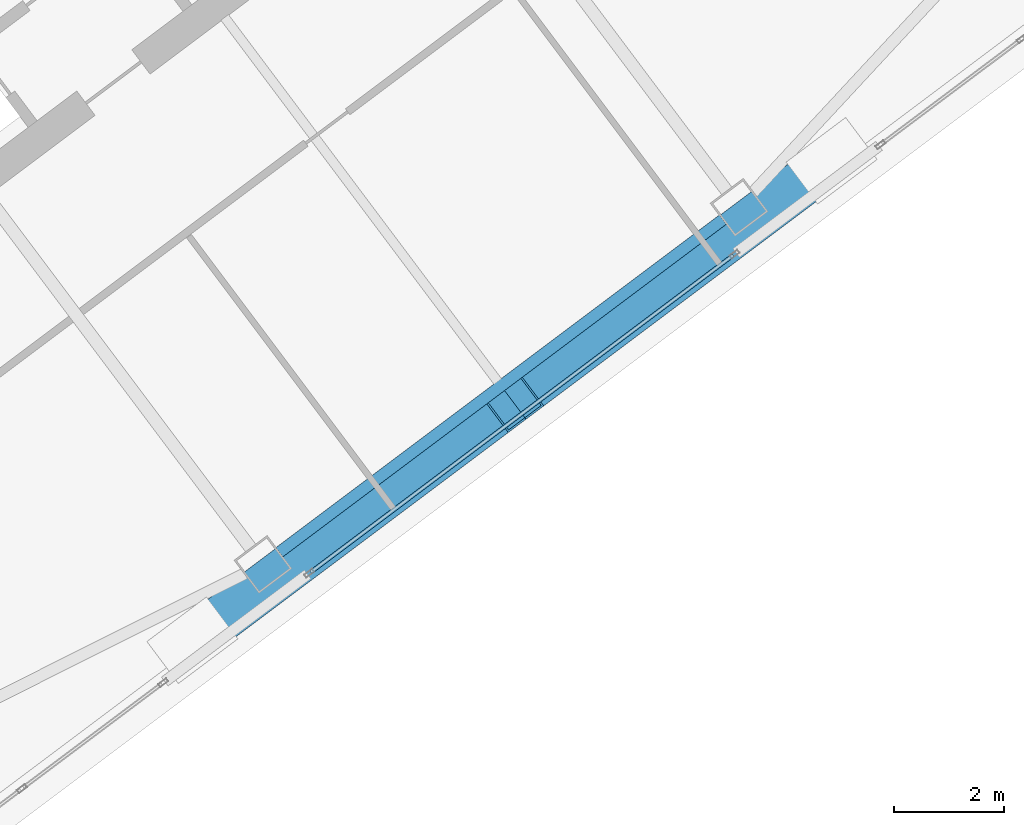
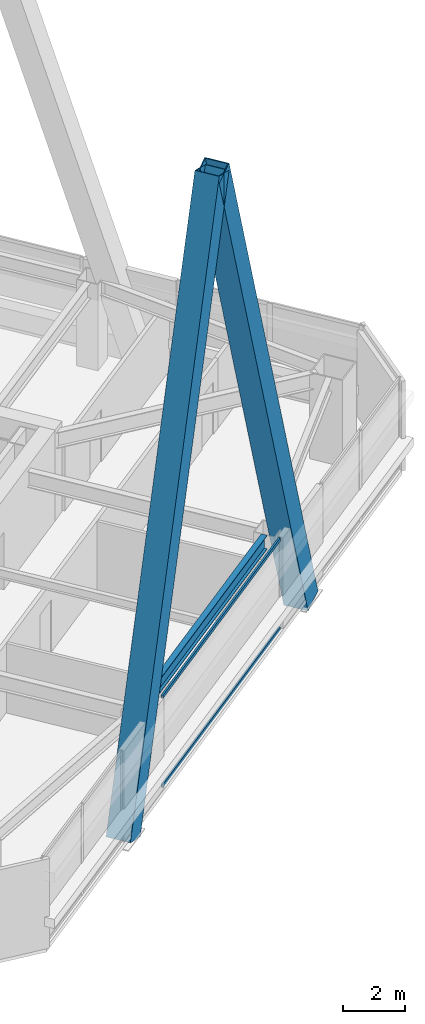
# One storey, part 32 of 55: 4 members, 1 beam, 1 element without a shape of its own.
"""IFC4 building model written with IfcOpenShell, lengths in metres."""

from ifc_helpers import new_model, si_unit, direction, frame, origin, origin_2d, place, context, subcontext, project, spatial, hollow_rectangle, i_section, extrude, material, material_profile, profile_set, type_object, element, aggregate, save


model = new_model("IFC4")

# Units and contexts
model_context = context("Model", 3, precision=1e-05, world=origin(), true_north=direction((0.0, 1.0)))
body_context = subcontext(model_context, "Body", "Model", "MODEL_VIEW")
ifc_project = project(units=[si_unit("LENGTHUNIT", "METRE"), si_unit("AREAUNIT", "SQUARE_METRE"), si_unit("VOLUMEUNIT", "CUBIC_METRE"), si_unit("PLANEANGLEUNIT", "RADIAN"), si_unit("MASSUNIT", "GRAM", prefix="KILO")], contexts=[model_context])

# Site, building, storey
site_placement = place(None, origin())
site = spatial("IfcSite", under=ifc_project, at=site_placement, CompositionType="ELEMENT")
building_placement = place(site_placement, origin())
building = spatial("IfcBuilding", under=site, at=building_placement, Name="Tashvorn Skyway Center", CompositionType="ELEMENT")
storey_placement = place(building_placement, frame((0.0, 0.0, 178.300048828125)))
storey = spatial("IfcBuildingStorey", under=building, at=storey_placement, Name="L48", CompositionType="ELEMENT", Elevation=178.300048828125)

# Beam
ifc_material_1 = material(Name="Steel ASTM A992 Grade 50", Category="steel")
ifc_material_profile_1 = material_profile(ifc_material_1, i_section(OverallWidth=0.2109375, OverallDepth=0.5390625, WebThickness=0.01171875, FlangeThickness=0.018798828125, at=origin_2d()), Name="W21X73")
ifc_profile_set_1 = profile_set([ifc_material_profile_1], Name="Steel ASTM A992 Grade 50")
beam_type = type_object("IfcBeamType", Name="BM-SPANDREL-W21X73", PredefinedType="SPANDREL", material=ifc_profile_set_1)
beam_placement = place(storey_placement, frame((119.666015625, 16.06201171875, 3.100341796875), z_axis=(0.800008736549, 0.599988351091, 0.0), x_axis=(-0.599988351091, 0.800008736549, 0.0)))
element("IfcBeam", 1, at=beam_placement, inside=storey, type_object=beam_type, Name="Tower 2 L48 Spandrel Beam 02", PredefinedType="SPANDREL", context=body_context, shape_type="SweptSolid", body=[
    extrude(i_section(OverallWidth=0.2109375, OverallDepth=0.5390625, WebThickness=0.01171875, FlangeThickness=0.018798828125, at=origin_2d()), origin(), (0.0, 0.0, 1.0), 10.06005859375),
])

# Curtain wall, members
ifc_material_2 = material(Name="Thermally broken bronze-anodized aluminium 6063-T6", Category="aluminium")
curtain_wall_type = type_object("IfcCurtainWallType", Name="CW-CW-Z4", PredefinedType="NOTDEFINED", material=ifc_material_2)
curtain_wall_placement = place(storey_placement, origin())
curtain_wall = element("IfcCurtainWall", 2, at=curtain_wall_placement, inside=storey, type_object=curtain_wall_type, Name="Tower 2 L48 South Unitised Curtain Wall Glazing Group 2", PredefinedType="NOTDEFINED")
ifc_material_profile_2 = material_profile(ifc_material_2, hollow_rectangle(XDim=0.070068359375, YDim=0.1298828125, WallThickness=0.00390625, at=origin_2d()), Name="ALU-TRAN-70x130")
ifc_profile_set_2 = profile_set([ifc_material_profile_2], Name="Thermally broken bronze-anodized aluminium 6063-T6")
member_type_1 = type_object("IfcMemberType", Name="CWT-CW-Z4", PredefinedType="USERDEFINED", material=ifc_profile_set_2)
member_1_placement = place(storey_placement, frame((127.89990234375, 21.449951171875, 0.034912109375), z_axis=(-0.799990825408, -0.600012232595, 0.0), x_axis=(0.600012232595, -0.799990825408, 0.0)))
member_1 = element("IfcMember", 3, at=member_1_placement, type_object=member_type_1, Name="CW-Z4 transom 1.1", ObjectType="TRANSOM", PredefinedType="USERDEFINED", context=body_context, shape_type="SweptSolid", body=[
    extrude(hollow_rectangle(XDim=0.070068359375, YDim=0.1298828125, WallThickness=0.00390625, at=origin_2d()), origin(), (0.0, 0.0, 1.0), 9.579833984375),
])
member_2_placement = place(storey_placement, frame((127.89990234375, 21.449951171875, 3.514892578125), z_axis=(-0.799990825408, -0.600012232595, 0.0), x_axis=(0.600012232595, -0.799990825408, 0.0)))
member_2 = element("IfcMember", 4, at=member_2_placement, type_object=member_type_1, Name="CW-Z4 transom 1.2", ObjectType="TRANSOM", PredefinedType="USERDEFINED", context=body_context, shape_type="SweptSolid", body=[
    extrude(hollow_rectangle(XDim=0.070068359375, YDim=0.1298828125, WallThickness=0.00390625, at=origin_2d()), origin(), (0.0, 0.0, 1.0), 9.579833984375),
])
aggregate(curtain_wall, [member_1, member_2])

# Members
ifc_material_3 = material(Name="Steel ASTM A572 Grade 50", Category="steel")
ifc_material_profile_3 = material_profile(ifc_material_3, hollow_rectangle(XDim=0.85009765625, YDim=0.85009765625, WallThickness=0.034912109375, at=origin_2d()), Name="BOX850x850x35")
ifc_profile_set_3 = profile_set([ifc_material_profile_3], Name="Steel ASTM A572 Grade 50")
member_type_2 = type_object("IfcMemberType", Name="MEM-MB-850", PredefinedType="BRACE", material=ifc_profile_set_3)
for number, where, z_axis, x_axis, name in (
    (5, (118.087890625, 14.466064453125, -0.449951171875), (0.256700246092, 0.192517080634, 0.947123095126), (-0.599983835976, 0.800012122763, 0.0), "Tower 2 Zone 4 S Chevron Mega-Brace L2"),
    (6, (129.68798828125, 23.166015625, -0.449951171875), (-0.256699712092, -0.192527485375, 0.947121124876), (0.600005387845, -0.799995959088, 0.0), "Tower 2 Zone 4 S Chevron Mega-Brace R2"),
):
    element("IfcMember", number, at=place(storey_placement, frame(where, z_axis=z_axis, x_axis=x_axis)), inside=storey, type_object=member_type_2, Name=name, PredefinedType="BRACE", context=body_context, shape_type="SweptSolid", body=[
        extrude(hollow_rectangle(XDim=0.85009765625, YDim=0.85009765625, WallThickness=0.034912109375, at=origin_2d()), origin(), (0.0, 0.0, 1.0), 22.5947265625),
    ])

save(model, "model.ifc")
